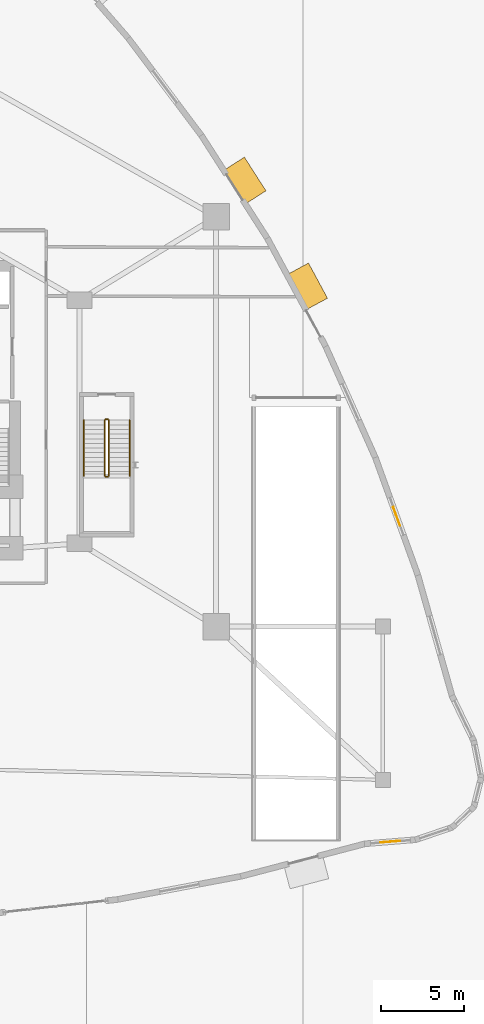
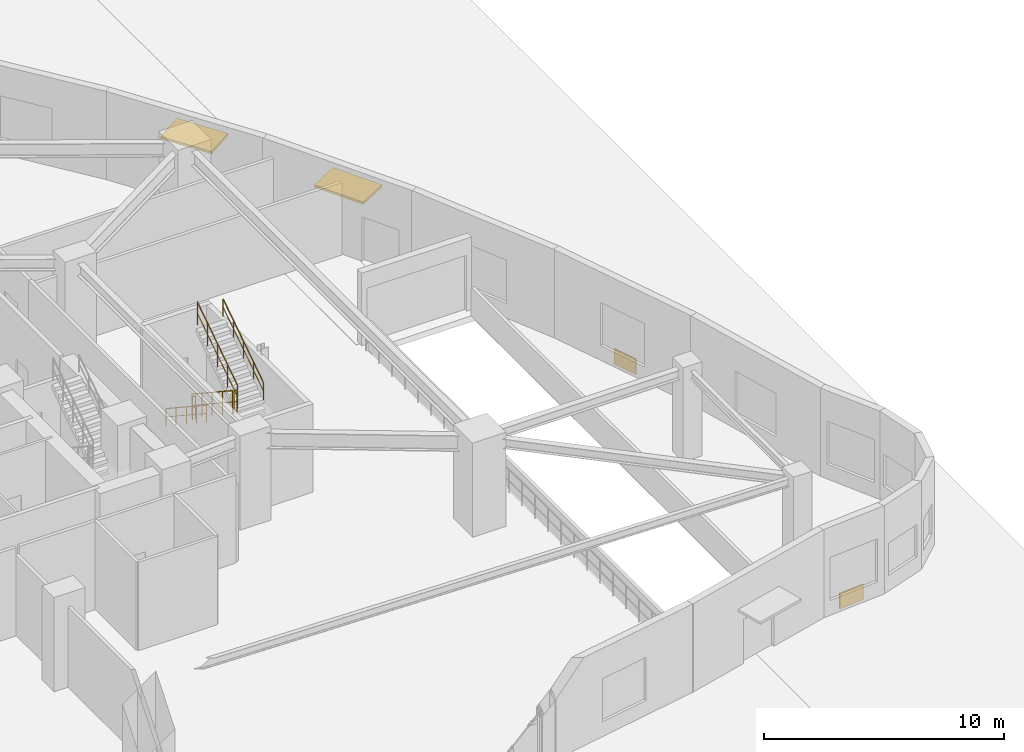
# One storey, part 30 of 32: 6 railings, 2 coverings, 2 shading devices.
"""IFC4 building model written with IfcOpenShell, lengths in metres."""

import ifcopenshell
import ifcopenshell.guid

model = None  # the IFC model being written
_history = None  # IfcOwnerHistory: only IFC2X3 demands one
_inside = {}  # id of a spatial element -> (the spatial element, [elements in it])
_under = {}  # id of a project, library or spatial element -> (it, [spatial elements below it])
_declared = {}  # id of a project -> (the project, [libraries it declares])
_typed = {}  # id of a type object -> (the type object, [elements of that type])
_made_of = {}  # id of a material, layer set ... -> (it, [elements and type objects made of it])


def new_model(schema):
    """Start an empty IFC model of exactly this schema.

    Asked for "IFC4X3", IfcOpenShell would pick the latest addendum, in which some entities
    have other attributes; the version numbers below select the first issue.
    IFC2X3 requires an IfcOwnerHistory on every rooted entity: one is made here for all.
    """
    global model, _history
    if schema == "IFC4X3":
        model = ifcopenshell.file(schema_version=(4, 3, 0, 0))
    else:
        model = ifcopenshell.file(schema=schema)
    _inside.clear()
    _under.clear()
    _declared.clear()
    _typed.clear()
    _made_of.clear()
    _history = None
    if model.schema == "IFC2X3":
        org = make("IfcOrganization", Name="unknown")
        user = make(
            "IfcPersonAndOrganization",
            ThePerson=make("IfcPerson", FamilyName="unknown"),
            TheOrganization=org,
        )
        app = make(
            "IfcApplication",
            ApplicationDeveloper=org,
            Version="unknown",
            ApplicationFullName="unknown",
            ApplicationIdentifier="unknown",
        )
        _history = make(
            "IfcOwnerHistory",
            OwningUser=user,
            OwningApplication=app,
            ChangeAction="ADDED",
            CreationDate=0,
        )
    return model


def make(cls, **values):
    """One entity of the class cls with the attributes given. An attribute that is None is left unset."""
    return model.create_entity(
        cls, **{name: value for name, value in values.items() if value is not None}
    )


def rooted(cls, **values):
    """An entity with a GlobalId (a new one), such as an element, a storey or a relation."""
    return make(cls, GlobalId=ifcopenshell.guid.new(), OwnerHistory=_history, **values)


def si_unit(unit_type, name, prefix=None):
    """IfcSIUnit, for example si_unit("LENGTHUNIT", "METRE", prefix="MILLI")."""
    return make("IfcSIUnit", UnitType=unit_type, Prefix=prefix, Name=name)


def assignment(units):
    """IfcUnitAssignment: the units of a project."""
    return None if units is None else make("IfcUnitAssignment", Units=units)


def point(xyz):
    """IfcCartesianPoint."""
    return None if xyz is None else make("IfcCartesianPoint", Coordinates=xyz)


def direction(xyz):
    """IfcDirection."""
    return None if xyz is None else make("IfcDirection", DirectionRatios=xyz)


def frame(location, z_axis=None, x_axis=None):
    """IfcAxis2Placement3D, a coordinate frame: its origin and axes. An axis left out is left unset."""
    return make(
        "IfcAxis2Placement3D",
        Location=point(location),
        Axis=direction(z_axis),
        RefDirection=direction(x_axis),
    )


def frame_2d(location, x_axis=None):
    """IfcAxis2Placement2D, a coordinate frame in the plane: its origin and x axis."""
    return make(
        "IfcAxis2Placement2D", Location=point(location), RefDirection=direction(x_axis)
    )


def origin():
    """The frame at (0, 0, 0) with its axes left unset."""
    return frame((0.0, 0.0, 0.0))


def origin_2d():
    """The frame at (0, 0) in the plane with its x axis left unset."""
    return frame_2d((0.0, 0.0))


def place(relative_to, where):
    """IfcLocalPlacement: puts the frame where relative to a parent placement (None: the world)."""
    return make(
        "IfcLocalPlacement", PlacementRelTo=relative_to, RelativePlacement=where
    )


def context(
    kind, dimensions, precision=None, world=None, true_north=None, identifier=None
):
    """IfcGeometricRepresentationContext, for example the 3D "Model" context."""
    return make(
        "IfcGeometricRepresentationContext",
        ContextIdentifier=identifier,
        ContextType=kind,
        CoordinateSpaceDimension=dimensions,
        Precision=precision,
        WorldCoordinateSystem=world,
        TrueNorth=true_north,
    )


def subcontext(parent, identifier, kind, view, scale=None):
    """IfcGeometricRepresentationSubContext, for example "Body" below "Model"."""
    return make(
        "IfcGeometricRepresentationSubContext",
        ContextIdentifier=identifier,
        ContextType=kind,
        ParentContext=parent,
        TargetScale=scale,
        TargetView=view,
    )


def project(units=None, contexts=None):
    """IfcProject with its units and contexts."""
    return rooted(
        "IfcProject",
        Name="project",
        RepresentationContexts=contexts,
        UnitsInContext=assignment(units),
    )


def spatial(cls, under=None, at=None, **own):
    """A site, building, storey or space (cls), placed at a placement, below another one or the project."""
    s = rooted(cls, ObjectPlacement=at, **own)
    if under is not None:
        _under.setdefault(under.id(), (under, []))[1].append(s)
    return s


def profile(cls, at=None, kind="AREA", **sizes):
    """A parametric profile (cls). Its sizes go by their IFC names, for example OverallWidth=200.0."""
    return make(cls, ProfileType=kind, Position=at, **sizes)


def rectangle(**sizes):
    """IfcRectangleProfileDef."""
    return profile("IfcRectangleProfileDef", **sizes)


def circle(**sizes):
    """IfcCircleProfileDef."""
    return profile("IfcCircleProfileDef", **sizes)


def extrude(swept, where, along, depth):
    """IfcExtrudedAreaSolid: the profile swept, set in the frame where, extruded along a direction by depth."""
    return make(
        "IfcExtrudedAreaSolid",
        SweptArea=swept,
        Position=where,
        ExtrudedDirection=direction(along),
        Depth=depth,
    )


def shape(context_of_items, identifier, shape_type, items):
    """IfcShapeRepresentation: the items that make up one representation, for example the "Body"."""
    return make(
        "IfcShapeRepresentation",
        ContextOfItems=context_of_items,
        RepresentationIdentifier=identifier,
        RepresentationType=shape_type,
        Items=items,
    )


def material(Name=None, Category=None):
    """IfcMaterial."""
    return make("IfcMaterial", Name=Name, Category=Category)


def layer(
    of_material, thickness, ventilated=None, Name=None, Category=None, Priority=None
):
    """IfcMaterialLayer: one layer of a wall or slab, of a material (None: an air gap)."""
    return make(
        "IfcMaterialLayer",
        Material=of_material,
        LayerThickness=thickness,
        IsVentilated=ventilated,
        Name=Name,
        Category=Category,
        Priority=Priority,
    )


def layer_set(layers, Name=None):
    """IfcMaterialLayerSet."""
    return make("IfcMaterialLayerSet", MaterialLayers=layers, LayerSetName=Name)


def made_of(thing, what):
    """Note that an element or type object is made of a material, layer set ...; save() writes the relation."""
    if what is not None:
        _made_of.setdefault(what.id(), (what, []))[1].append(thing)
    return thing


def type_object(cls, material=None, **own):
    """A type object (cls), such as IfcWallType, which elements share."""
    return made_of(rooted(cls, **own), material)


def element(
    cls,
    number,
    at=None,
    inside=None,
    cuts=None,
    type_object=None,
    material=None,
    context=None,
    identifier="Body",
    shape_type=None,
    held_by="IfcProductDefinitionShape",
    body=None,
    shapes=None,
    **own,
):
    """One element of the class cls, such as IfcWall. Its Tag is "e" and its number.

    at: its placement. inside: the storey or other place that contains it. cuts: it is an
    opening in that element (IfcRelVoidsElement). A single representation is given by context,
    identifier, shape_type and body (its items); several are given by shapes. held_by: the class
    of the entity that holds the representations. save() writes the other relations.
    """
    e = rooted(cls, Tag="e%d" % number, ObjectPlacement=at, **own)
    if body is not None:
        shapes = [shape(context, identifier, shape_type, body)]
    if shapes is not None:
        e.Representation = make(held_by, Representations=shapes)
    if inside is not None:
        _inside.setdefault(inside.id(), (inside, []))[1].append(e)
    if cuts is not None:
        rooted(
            "IfcRelVoidsElement", RelatingBuildingElement=cuts, RelatedOpeningElement=e
        )
    if type_object is not None:
        _typed.setdefault(type_object.id(), (type_object, []))[1].append(e)
    return made_of(e, material)


def aggregate(whole, parts):
    """IfcRelAggregates: a whole, such as a stair, and the parts it consists of."""
    return rooted("IfcRelAggregates", RelatingObject=whole, RelatedObjects=parts)


def save(model, path):
    """Write the relations noted so far, then the file.

    IfcRelAggregates (storeys below a building ...), IfcRelContainedInSpatialStructure (elements
    in a storey), IfcRelDefinesByType, IfcRelAssociatesMaterial and IfcRelDeclares: one each for
    every whole, place, type object, material and project.
    """
    for whole, parts in _under.values():
        aggregate(whole, parts)
    for where, things in _inside.values():
        rooted(
            "IfcRelContainedInSpatialStructure",
            RelatedElements=things,
            RelatingStructure=where,
        )
    for kind, things in _typed.values():
        rooted("IfcRelDefinesByType", RelatedObjects=things, RelatingType=kind)
    for what, things in _made_of.values():
        rooted("IfcRelAssociatesMaterial", RelatedObjects=things, RelatingMaterial=what)
    for by, libraries in _declared.values():
        rooted("IfcRelDeclares", RelatingContext=by, RelatedDefinitions=libraries)
    model.write(path)


model = new_model("IFC4")

# Units and contexts
model_context = context("Model", 3, precision=1e-05, world=origin(), true_north=direction((0.0, 1.0)))
body_context = subcontext(model_context, "Body", "Model", "MODEL_VIEW")
ifc_project = project(units=[si_unit("LENGTHUNIT", "METRE"), si_unit("AREAUNIT", "SQUARE_METRE"), si_unit("VOLUMEUNIT", "CUBIC_METRE"), si_unit("PLANEANGLEUNIT", "RADIAN"), si_unit("MASSUNIT", "GRAM", prefix="KILO")], contexts=[model_context])

# Site, building, storey
site_placement = place(None, origin())
site = spatial("IfcSite", under=ifc_project, at=site_placement, CompositionType="ELEMENT")
building_placement = place(site_placement, origin())
building = spatial("IfcBuilding", under=site, at=building_placement, Name="Miruveldt Soraemaru", CompositionType="ELEMENT")
storey_placement = place(building_placement, origin())
storey = spatial("IfcBuildingStorey", under=building, at=storey_placement, Name="L01", CompositionType="ELEMENT", Elevation=0.0)

# Coverings
ifc_material_1 = material(Name="Precast concrete C45/55 (45 MPa)", Category="concrete")
ifc_layer_1 = layer(ifc_material_1, 0.0400390625, Name="Precast concrete C45/55 (45 MPa)", Category="concrete")
ifc_layer_set_1 = layer_set([ifc_layer_1], Name="Precast concrete C45/55 (45 MPa)")
covering_type = type_object("IfcCoveringType", Name="COV-CLAD-GRAN", PredefinedType="CLADDING", material=ifc_layer_set_1)
for number, where, z_axis, x_axis, name in (
    (1, (75.259521484375, 17.88720703125, 0.0), (0.0, 0.0, 1.0), (0.996749417064, 0.080564257474, 0.0), "L01 Reconstituted Granite Base Cladding 29"),
    (2, (75.6318359375, 37.419189453125, 0.0), (0.0, 0.0, 1.0), (-0.340116958965, 0.940383142248, 0.0), "L01 Reconstituted Granite Base Cladding 36"),
):
    element("IfcCovering", number, at=place(storey_placement, frame(where, z_axis=z_axis, x_axis=x_axis)), inside=storey, type_object=covering_type, Name=name, PredefinedType="CLADDING", context=body_context, shape_type="SweptSolid", body=[
        extrude(rectangle(XDim=1.199951171875, YDim=0.0400390625, at=origin_2d()), origin(), (0.0, 0.0, 1.0), 0.800048828125),
    ])

# Railings
ifc_material_2 = material(Name="Steel S355 (355 MPa)", Category="steel")
railing_type_1 = type_object("IfcRailingType", Name="RAIL-HR-900", PredefinedType="HANDRAIL", material=ifc_material_2)
railing_1_placement = place(storey_placement, frame((56.85009765625, 43.199951171875, 0.1845703125)))
element("IfcRailing", 3, at=railing_1_placement, inside=storey, type_object=railing_type_1, Name="L01 ST-4 stair handrail 1", PredefinedType="HANDRAIL", context=body_context, shape_type="SweptSolid", body=[
    extrude(circle(Radius=0.02392578125, at=origin_2d()), frame((0.0, 0.0, 0.8759765625), z_axis=(0.0, -0.834858096282, 0.550465220583), x_axis=(1.0, 0.0, 0.0)), (0.0, 0.0, 1.0), 4.0244140625),
    extrude(circle(Radius=0.01611328125, at=origin_2d()), frame((0.0, 0.0, 0.449951171875), z_axis=(0.0, -0.834858096282, 0.550465220583), x_axis=(1.0, 0.0, 0.0)), (0.0, 0.0, 1.0), 4.0244140625),
    extrude(circle(Radius=0.02099609375, at=origin_2d()), origin(), (0.0, 0.0, 1.0), 0.851806640625),
    extrude(circle(Radius=0.02099609375, at=origin_2d()), frame((0.0, -0.83984375, 0.5537109375)), (0.0, 0.0, 1.0), 0.851806640625),
    extrude(circle(Radius=0.02099609375, at=origin_2d()), frame((0.0, -1.679931640625, 1.107666015625)), (0.0, 0.0, 1.0), 0.851806640625),
    extrude(circle(Radius=0.02099609375, at=origin_2d()), frame((0.0, -2.52001953125, 1.66162109375)), (0.0, 0.0, 1.0), 0.851806640625),
    extrude(circle(Radius=0.02099609375, at=origin_2d()), frame((0.0, -3.35986328125, 2.21533203125)), (0.0, 0.0, 1.0), 0.851806640625),
])
railing_2_placement = place(storey_placement, frame((59.60009765625, 39.840087890625, 2.584716796875)))
element("IfcRailing", 4, at=railing_2_placement, inside=storey, type_object=railing_type_1, Name="L01 ST-4 stair handrail 2", PredefinedType="HANDRAIL", context=body_context, shape_type="SweptSolid", body=[
    extrude(circle(Radius=0.02392578125, at=origin_2d()), frame((0.0, 0.0, 0.8759765625), z_axis=(0.0, 0.834858096282, 0.550465220583), x_axis=(-1.0, 0.0, 0.0)), (0.0, 0.0, 1.0), 4.0244140625),
    extrude(circle(Radius=0.01611328125, at=origin_2d()), frame((0.0, 0.0, 0.449951171875), z_axis=(0.0, 0.834858096282, 0.550465220583), x_axis=(-1.0, 0.0, 0.0)), (0.0, 0.0, 1.0), 4.0244140625),
    extrude(circle(Radius=0.02099609375, at=origin_2d()), origin(), (0.0, 0.0, 1.0), 0.851806640625),
    extrude(circle(Radius=0.02099609375, at=origin_2d()), frame((0.0, 0.83984375, 0.5537109375)), (0.0, 0.0, 1.0), 0.851806640625),
    extrude(circle(Radius=0.02099609375, at=origin_2d()), frame((0.0, 1.679931640625, 1.107666015625)), (0.0, 0.0, 1.0), 0.851806640625),
    extrude(circle(Radius=0.02099609375, at=origin_2d()), frame((0.0, 2.52001953125, 1.66162109375)), (0.0, 0.0, 1.0), 0.851806640625),
    extrude(circle(Radius=0.02099609375, at=origin_2d()), frame((0.0, 3.35986328125, 2.21533203125)), (0.0, 0.0, 1.0), 0.851806640625),
])
railing_type_2 = type_object("IfcRailingType", Name="RAIL-STGUARD-1200", PredefinedType="GUARDRAIL", material=ifc_material_2)
railing_3_placement = place(storey_placement, frame((58.10009765625, 43.199951171875, 0.1845703125)))
element("IfcRailing", 5, at=railing_3_placement, inside=storey, type_object=railing_type_2, Name="L01 ST-4 stair guard 1", PredefinedType="GUARDRAIL", context=body_context, shape_type="SweptSolid", body=[
    extrude(circle(Radius=0.02392578125, at=origin_2d()), frame((0.0, 0.0, 1.17578125), z_axis=(0.0, -0.834858096282, 0.550465220583), x_axis=(1.0, 0.0, 0.0)), (0.0, 0.0, 1.0), 4.0244140625),
    extrude(circle(Radius=0.01611328125, at=origin_2d()), frame((0.0, 0.0, 0.60009765625), z_axis=(0.0, -0.834858096282, 0.550465220583), x_axis=(1.0, 0.0, 0.0)), (0.0, 0.0, 1.0), 4.0244140625),
    extrude(circle(Radius=0.02099609375, at=origin_2d()), origin(), (0.0, 0.0, 1.0), 1.15185546875),
    extrude(circle(Radius=0.02099609375, at=origin_2d()), frame((0.0, -0.83984375, 0.5537109375)), (0.0, 0.0, 1.0), 1.15185546875),
    extrude(circle(Radius=0.02099609375, at=origin_2d()), frame((0.0, -1.679931640625, 1.107666015625)), (0.0, 0.0, 1.0), 1.15185546875),
    extrude(circle(Radius=0.02099609375, at=origin_2d()), frame((0.0, -2.52001953125, 1.66162109375)), (0.0, 0.0, 1.0), 1.15185546875),
    extrude(circle(Radius=0.02099609375, at=origin_2d()), frame((0.0, -3.35986328125, 2.21533203125)), (0.0, 0.0, 1.0), 1.15185546875),
])
railing_4_placement = place(storey_placement, frame((58.14990234375, 39.7900390625, 2.39990234375)))
element("IfcRailing", 6, at=railing_4_placement, inside=storey, type_object=railing_type_2, Name="L01 ST-4 stair guard 2", PredefinedType="GUARDRAIL", context=body_context, shape_type="SweptSolid", body=[
    extrude(circle(Radius=0.02392578125, at=origin_2d()), frame((0.0, 0.0, 1.17578125), z_axis=(1.0, 0.0, 0.0), x_axis=(0.0, 1.0, 0.0)), (0.0, 0.0, 1.0), 0.150146484375),
    extrude(circle(Radius=0.01611328125, at=origin_2d()), frame((0.0, 0.0, 0.60009765625), z_axis=(1.0, 0.0, 0.0), x_axis=(0.0, 1.0, 0.0)), (0.0, 0.0, 1.0), 0.150146484375),
    extrude(circle(Radius=0.02099609375, at=origin_2d()), origin(), (0.0, 0.0, 1.0), 1.15185546875),
    extrude(circle(Radius=0.02099609375, at=origin_2d()), frame((0.150146484375, 0.0, 0.0)), (0.0, 0.0, 1.0), 1.15185546875),
])
railing_5_placement = place(storey_placement, frame((58.35009765625, 39.840087890625, 2.584716796875)))
element("IfcRailing", 7, at=railing_5_placement, inside=storey, type_object=railing_type_2, Name="L01 ST-4 stair guard 3", PredefinedType="GUARDRAIL", context=body_context, shape_type="SweptSolid", body=[
    extrude(circle(Radius=0.02392578125, at=origin_2d()), frame((0.0, 0.0, 1.17578125), z_axis=(0.0, 0.834858096282, 0.550465220583), x_axis=(-1.0, 0.0, 0.0)), (0.0, 0.0, 1.0), 4.0244140625),
    extrude(circle(Radius=0.01611328125, at=origin_2d()), frame((0.0, 0.0, 0.60009765625), z_axis=(0.0, 0.834858096282, 0.550465220583), x_axis=(-1.0, 0.0, 0.0)), (0.0, 0.0, 1.0), 4.0244140625),
    extrude(circle(Radius=0.02099609375, at=origin_2d()), origin(), (0.0, 0.0, 1.0), 1.15185546875),
    extrude(circle(Radius=0.02099609375, at=origin_2d()), frame((0.0, 0.83984375, 0.5537109375)), (0.0, 0.0, 1.0), 1.15185546875),
    extrude(circle(Radius=0.02099609375, at=origin_2d()), frame((0.0, 1.679931640625, 1.107666015625)), (0.0, 0.0, 1.0), 1.15185546875),
    extrude(circle(Radius=0.02099609375, at=origin_2d()), frame((0.0, 2.52001953125, 1.66162109375)), (0.0, 0.0, 1.0), 1.15185546875),
    extrude(circle(Radius=0.02099609375, at=origin_2d()), frame((0.0, 3.35986328125, 2.21533203125)), (0.0, 0.0, 1.0), 1.15185546875),
])
railing_6_placement = place(storey_placement, frame((58.14990234375, 43.25, 0.0)))
element("IfcRailing", 8, at=railing_6_placement, inside=storey, type_object=railing_type_2, Name="L01 ST-4 stair guard 4", PredefinedType="GUARDRAIL", context=body_context, shape_type="SweptSolid", body=[
    extrude(circle(Radius=0.02392578125, at=origin_2d()), frame((0.0, 0.0, 1.17578125), z_axis=(1.0, 0.0, 0.0), x_axis=(0.0, 1.0, 0.0)), (0.0, 0.0, 1.0), 0.150146484375),
    extrude(circle(Radius=0.01611328125, at=origin_2d()), frame((0.0, 0.0, 0.60009765625), z_axis=(1.0, 0.0, 0.0), x_axis=(0.0, 1.0, 0.0)), (0.0, 0.0, 1.0), 0.150146484375),
    extrude(circle(Radius=0.02099609375, at=origin_2d()), origin(), (0.0, 0.0, 1.0), 1.15185546875),
    extrude(circle(Radius=0.02099609375, at=origin_2d()), frame((0.150146484375, 0.0, 0.0)), (0.0, 0.0, 1.0), 1.15185546875),
])

# Shading devices
ifc_material_3 = material(Name="Anodised aluminium EN AW-6063 T6", Category="aluminium")
ifc_layer_2 = layer(ifc_material_3, 0.1201171875, Name="Anodised aluminium EN AW-6063 T6", Category="aluminium")
ifc_layer_set_2 = layer_set([ifc_layer_2], Name="Anodised aluminium EN AW-6063 T6")
shading_device_type = type_object("IfcShadingDeviceType", Name="SHD-CANOPY-AWN", PredefinedType="AWNING", material=ifc_layer_set_2)
for number, where, z_axis, x_axis, name in (
    (9, (70.251220703125, 51.2158203125, 2.7900390625), (0.0, 0.0, 1.0), (-0.47494854728, 0.880013566621, 0.0), "L01 Entrance Canopy Awning 38"),
    (10, (66.5068359375, 57.571533203125, 2.7900390625), (0.0, 0.0, 1.0), (-0.539520453445, 0.841972493799, 0.0), "L01 Entrance Canopy Awning 39"),
):
    element("IfcShadingDevice", number, at=place(storey_placement, frame(where, z_axis=z_axis, x_axis=x_axis)), inside=storey, type_object=shading_device_type, Name=name, PredefinedType="AWNING", context=body_context, shape_type="SweptSolid", body=[
        extrude(rectangle(XDim=2.39990234375, YDim=1.5, at=origin_2d()), origin(), (0.0, 0.0, 1.0), 0.1201171875),
    ])

save(model, "model.ifc")
